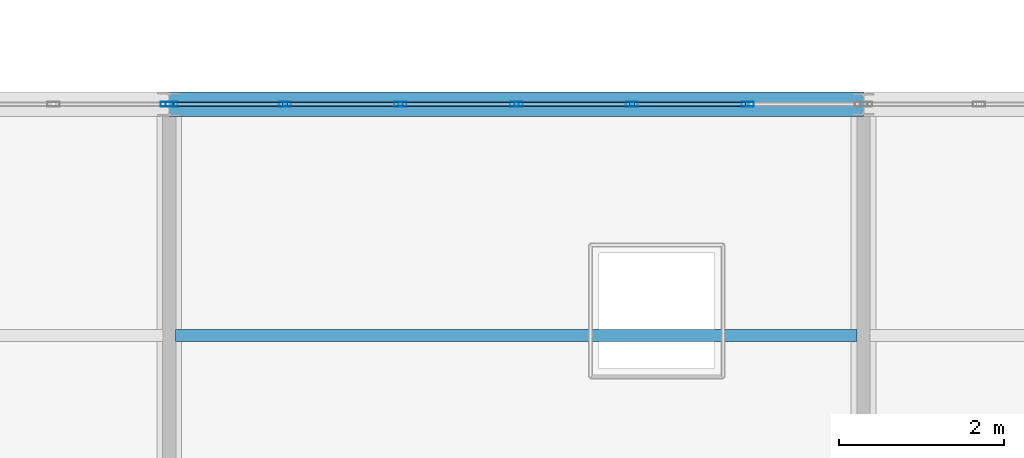
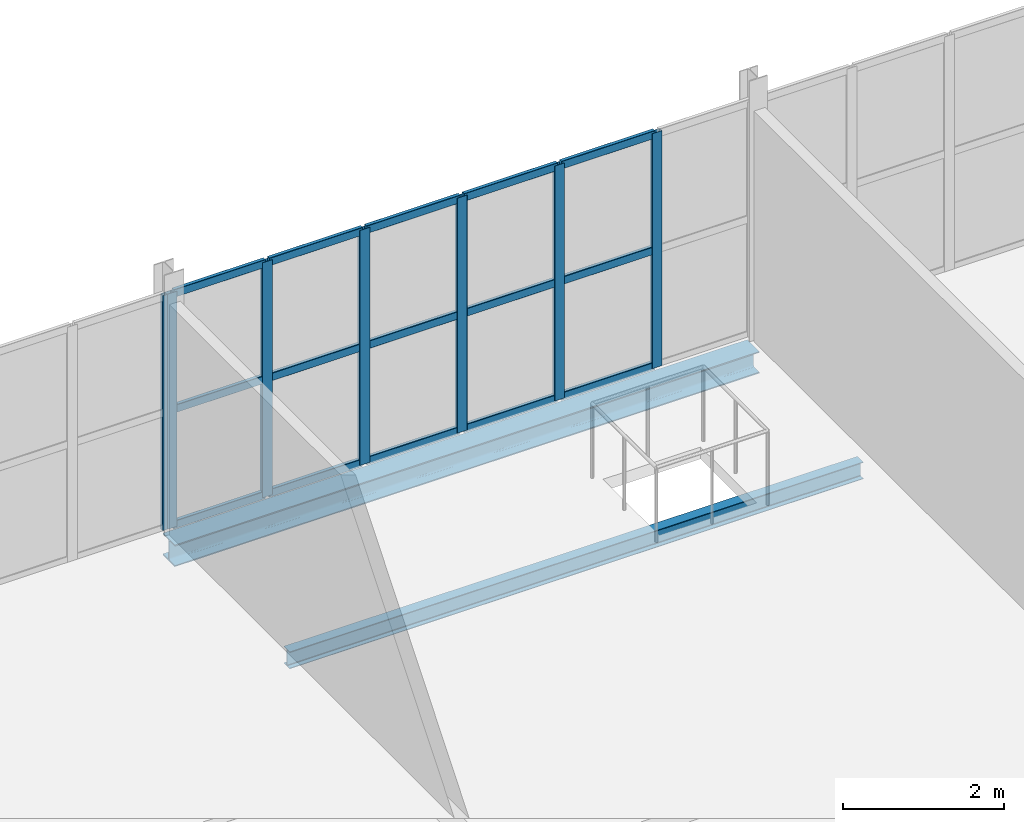
# One storey, part 82 of 163: 22 members, 2 beams, 2 elements without a shape of their own.
"""IFC4 building model written with IfcOpenShell, lengths in metres."""

from ifc_helpers import new_model, si_unit, direction, frame, origin, origin_2d, place, context, subcontext, project, spatial, hollow_rectangle, i_section, extrude, material, layer, layer_set, material_profile, profile_set, type_object, element, aggregate, save


model = new_model("IFC4")

# Units and contexts
model_context = context("Model", 3, precision=1e-05, world=origin(), true_north=direction((0.0, 1.0)))
body_context = subcontext(model_context, "Body", "Model", "MODEL_VIEW")
ifc_project = project(units=[si_unit("LENGTHUNIT", "METRE"), si_unit("AREAUNIT", "SQUARE_METRE"), si_unit("VOLUMEUNIT", "CUBIC_METRE"), si_unit("PLANEANGLEUNIT", "RADIAN"), si_unit("MASSUNIT", "GRAM", prefix="KILO")], contexts=[model_context])

# Site, building, storey
site_placement = place(None, origin())
site = spatial("IfcSite", under=ifc_project, at=site_placement, CompositionType="ELEMENT")
building_placement = place(site_placement, origin())
building = spatial("IfcBuilding", under=site, at=building_placement, Name="Qalvenar Corner Mobility Hub", CompositionType="ELEMENT")
storey_placement = place(building_placement, frame((0.0, 0.0, 4.800048828125)))
storey = spatial("IfcBuildingStorey", under=building, at=storey_placement, Name="L01", CompositionType="ELEMENT", Elevation=4.800048828125)

# Beams
ifc_material_1 = material(Name="Steel S355", Category="steel")
ifc_material_profile_1 = material_profile(ifc_material_1, i_section(OverallWidth=0.14599609375, OverallDepth=0.258056640625, WebThickness=0.006103515625, FlangeThickness=0.009033203125, FilletRadius=0.011962890625, at=origin_2d()), Name="W250x32.7")
ifc_profile_set_1 = profile_set([ifc_material_profile_1], Name="Steel S355")
beam_type_1 = type_object("IfcBeamType", Name="BM-JST250", PredefinedType="JOIST", material=ifc_profile_set_1)
beam_1_placement = place(storey_placement, frame((8.47802734375, 89.60009765625, -0.30908203125), z_axis=(1.0, 0.0, 0.0), x_axis=(0.0, 1.0, 0.0)))
element("IfcBeam", 1, at=beam_1_placement, inside=storey, type_object=beam_type_1, Name="Composite Floor Joist J-1231", PredefinedType="JOIST", context=body_context, shape_type="SweptSolid", body=[
    extrude(i_section(OverallWidth=0.14599609375, OverallDepth=0.258056640625, WebThickness=0.006103515625, FlangeThickness=0.009033203125, FilletRadius=0.011962890625, at=origin_2d()), origin(), (0.0, 0.0, 1.0), 8.243896484375),
])
ifc_material_profile_2 = material_profile(ifc_material_1, i_section(OverallWidth=0.300048828125, OverallDepth=0.330078125, WebThickness=0.009521484375, FlangeThickness=0.0166015625, FilletRadius=0.027099609375, at=origin_2d()), Name="HEA340")
ifc_profile_set_2 = profile_set([ifc_material_profile_2], Name="Steel S355")
beam_type_2 = type_object("IfcBeamType", Name="BM-SPN340", PredefinedType="SPANDREL", material=ifc_profile_set_2)
beam_2_placement = place(storey_placement, frame((8.39990234375, 92.39990234375, -0.344970703125), z_axis=(1.0, 0.0, 0.0), x_axis=(0.0, 1.0, 0.0)))
element("IfcBeam", 2, at=beam_2_placement, inside=storey, type_object=beam_type_2, Name="Primary Steel Girder GX-1177", PredefinedType="SPANDREL", context=body_context, shape_type="SweptSolid", body=[
    extrude(i_section(OverallWidth=0.300048828125, OverallDepth=0.330078125, WebThickness=0.009521484375, FlangeThickness=0.0166015625, FilletRadius=0.027099609375, at=origin_2d()), origin(), (0.0, 0.0, 1.0), 8.400146484375),
])

# Curtain wall, member
ifc_material_2 = material(Name="Anodised Aluminium and Low-E Glazing", Category="aluminium")
ifc_layer = layer(ifc_material_2, 0.14990234375)
ifc_layer_set = layer_set([ifc_layer], Name="Anodised Aluminium and Low-E Glazing")
curtain_wall_type = type_object("IfcCurtainWallType", Name="CW-CYC-84X39", PredefinedType="NOTDEFINED", material=ifc_layer_set)
curtain_wall_1_placement = place(storey_placement, origin())
curtain_wall_1 = element("IfcCurtainWall", 3, at=curtain_wall_1_placement, inside=storey, type_object=curtain_wall_type, Name="Glazed Curtain Wall CW-V5-L01-N0", PredefinedType="NOTDEFINED")
ifc_material_3 = material(Name="Anodised Aluminium 6063-T6", Category="aluminium")
ifc_material_profile_3 = material_profile(ifc_material_3, hollow_rectangle(XDim=0.06005859375, YDim=0.14990234375, WallThickness=0.00390625, InnerFilletRadius=0.00390625, OuterFilletRadius=0.008056640625, at=origin_2d()), Name="RHS150x60x4")
ifc_profile_set_3 = profile_set([ifc_material_profile_3], Name="Anodised Aluminium 6063-T6")
member_type_1 = type_object("IfcMemberType", Name="CW-MUL150", PredefinedType="MULLION", material=ifc_profile_set_3)
member_1_placement = place(storey_placement, frame((8.3701171875, 92.39990234375, 0.0), z_axis=(0.0, 0.0, 1.0), x_axis=(0.0, -1.0, 0.0)))
member_1 = element("IfcMember", 4, at=member_1_placement, type_object=member_type_1, Name="CW-08 mullion 1", PredefinedType="MULLION", context=body_context, shape_type="SweptSolid", body=[
    extrude(hollow_rectangle(XDim=0.06005859375, YDim=0.14990234375, WallThickness=0.00390625, InnerFilletRadius=0.00390625, OuterFilletRadius=0.008056640625, at=origin_2d()), origin(), (0.0, 0.0, 1.0), 3.570068359375),
])
aggregate(curtain_wall_1, [member_1])

# Curtain wall, members
curtain_wall_2_placement = place(storey_placement, origin())
curtain_wall_2 = element("IfcCurtainWall", 5, at=curtain_wall_2_placement, inside=storey, type_object=curtain_wall_type, Name="Glazed Curtain Wall CW-V5-L01-N1", PredefinedType="NOTDEFINED")
member_2_placement = place(storey_placement, frame((15.39990234375, 92.39990234375, 0.0), z_axis=(0.0, 0.0, 1.0), x_axis=(0.0, -1.0, 0.0)))
member_2 = element("IfcMember", 6, at=member_2_placement, type_object=member_type_1, Name="CW-08 mullion 2", PredefinedType="MULLION", context=body_context, shape_type="SweptSolid", body=[
    extrude(hollow_rectangle(XDim=0.06005859375, YDim=0.14990234375, WallThickness=0.00390625, InnerFilletRadius=0.00390625, OuterFilletRadius=0.008056640625, at=origin_2d()), origin(), (0.0, 0.0, 1.0), 3.570068359375),
])
member_3_placement = place(storey_placement, frame((14.0, 92.39990234375, 0.0), z_axis=(0.0, 0.0, 1.0), x_axis=(0.0, -1.0, 0.0)))
member_3 = element("IfcMember", 7, at=member_3_placement, type_object=member_type_1, Name="CW-08 mullion 3", PredefinedType="MULLION", context=body_context, shape_type="SweptSolid", body=[
    extrude(hollow_rectangle(XDim=0.06005859375, YDim=0.14990234375, WallThickness=0.00390625, InnerFilletRadius=0.00390625, OuterFilletRadius=0.008056640625, at=origin_2d()), origin(), (0.0, 0.0, 1.0), 3.570068359375),
])
member_4_placement = place(storey_placement, frame((12.60009765625, 92.39990234375, 0.0), z_axis=(0.0, 0.0, 1.0), x_axis=(0.0, -1.0, 0.0)))
member_4 = element("IfcMember", 8, at=member_4_placement, type_object=member_type_1, Name="CW-08 mullion 4", PredefinedType="MULLION", context=body_context, shape_type="SweptSolid", body=[
    extrude(hollow_rectangle(XDim=0.06005859375, YDim=0.14990234375, WallThickness=0.00390625, InnerFilletRadius=0.00390625, OuterFilletRadius=0.008056640625, at=origin_2d()), origin(), (0.0, 0.0, 1.0), 3.570068359375),
])
member_5_placement = place(storey_placement, frame((11.199951171875, 92.39990234375, 0.0), z_axis=(0.0, 0.0, 1.0), x_axis=(0.0, -1.0, 0.0)))
member_5 = element("IfcMember", 9, at=member_5_placement, type_object=member_type_1, Name="CW-08 mullion 5", PredefinedType="MULLION", context=body_context, shape_type="SweptSolid", body=[
    extrude(hollow_rectangle(XDim=0.06005859375, YDim=0.14990234375, WallThickness=0.00390625, InnerFilletRadius=0.00390625, OuterFilletRadius=0.008056640625, at=origin_2d()), origin(), (0.0, 0.0, 1.0), 3.570068359375),
])
member_6_placement = place(storey_placement, frame((9.800048828125, 92.39990234375, 0.0), z_axis=(0.0, 0.0, 1.0), x_axis=(0.0, -1.0, 0.0)))
member_6 = element("IfcMember", 10, at=member_6_placement, type_object=member_type_1, Name="CW-08 mullion 6", PredefinedType="MULLION", context=body_context, shape_type="SweptSolid", body=[
    extrude(hollow_rectangle(XDim=0.06005859375, YDim=0.14990234375, WallThickness=0.00390625, InnerFilletRadius=0.00390625, OuterFilletRadius=0.008056640625, at=origin_2d()), origin(), (0.0, 0.0, 1.0), 3.570068359375),
])
member_7_placement = place(storey_placement, frame((8.429931640625, 92.39990234375, 0.0), z_axis=(0.0, 0.0, 1.0), x_axis=(0.0, -1.0, 0.0)))
member_7 = element("IfcMember", 11, at=member_7_placement, type_object=member_type_1, Name="CW-08 mullion 7", PredefinedType="MULLION", context=body_context, shape_type="SweptSolid", body=[
    extrude(hollow_rectangle(XDim=0.06005859375, YDim=0.14990234375, WallThickness=0.00390625, InnerFilletRadius=0.00390625, OuterFilletRadius=0.008056640625, at=origin_2d()), origin(), (0.0, 0.0, 1.0), 3.570068359375),
])
ifc_material_profile_4 = material_profile(ifc_material_3, hollow_rectangle(XDim=0.054931640625, YDim=0.1201171875, WallThickness=0.00341796875, InnerFilletRadius=0.00341796875, OuterFilletRadius=0.007080078125, at=origin_2d()), Name="RHS120x55x3.5")
ifc_profile_set_4 = profile_set([ifc_material_profile_4], Name="Anodised Aluminium 6063-T6")
member_type_2 = type_object("IfcMemberType", Name="CW-TRN120", PredefinedType="USERDEFINED", material=ifc_profile_set_4)
member_8_placement = place(storey_placement, frame((15.3701171875, 92.39990234375, 0.02734375), z_axis=(-1.0, 0.0, 0.0), x_axis=(0.0, -1.0, 0.0)))
member_8 = element("IfcMember", 12, at=member_8_placement, type_object=member_type_2, Name="CW-08 transom 2.1", ObjectType="TRANSOM", PredefinedType="USERDEFINED", context=body_context, shape_type="SweptSolid", body=[
    extrude(hollow_rectangle(XDim=0.054931640625, YDim=0.1201171875, WallThickness=0.00341796875, InnerFilletRadius=0.00341796875, OuterFilletRadius=0.007080078125, at=origin_2d()), origin(), (0.0, 0.0, 1.0), 1.340087890625),
])
member_9_placement = place(storey_placement, frame((15.3701171875, 92.39990234375, 1.784912109375), z_axis=(-1.0, 0.0, 0.0), x_axis=(0.0, -1.0, 0.0)))
member_9 = element("IfcMember", 13, at=member_9_placement, type_object=member_type_2, Name="CW-08 transom 2.2", ObjectType="TRANSOM", PredefinedType="USERDEFINED", context=body_context, shape_type="SweptSolid", body=[
    extrude(hollow_rectangle(XDim=0.054931640625, YDim=0.1201171875, WallThickness=0.00341796875, InnerFilletRadius=0.00341796875, OuterFilletRadius=0.007080078125, at=origin_2d()), origin(), (0.0, 0.0, 1.0), 1.340087890625),
])
member_10_placement = place(storey_placement, frame((15.3701171875, 92.39990234375, 3.54248046875), z_axis=(-1.0, 0.0, 0.0), x_axis=(0.0, -1.0, 0.0)))
member_10 = element("IfcMember", 14, at=member_10_placement, type_object=member_type_2, Name="CW-08 transom 2.3", ObjectType="TRANSOM", PredefinedType="USERDEFINED", context=body_context, shape_type="SweptSolid", body=[
    extrude(hollow_rectangle(XDim=0.054931640625, YDim=0.1201171875, WallThickness=0.00341796875, InnerFilletRadius=0.00341796875, OuterFilletRadius=0.007080078125, at=origin_2d()), origin(), (0.0, 0.0, 1.0), 1.340087890625),
])
member_11_placement = place(storey_placement, frame((13.969970703125, 92.39990234375, 0.02734375), z_axis=(-1.0, 0.0, 0.0), x_axis=(0.0, -1.0, 0.0)))
member_11 = element("IfcMember", 15, at=member_11_placement, type_object=member_type_2, Name="CW-08 transom 3.1", ObjectType="TRANSOM", PredefinedType="USERDEFINED", context=body_context, shape_type="SweptSolid", body=[
    extrude(hollow_rectangle(XDim=0.054931640625, YDim=0.1201171875, WallThickness=0.00341796875, InnerFilletRadius=0.00341796875, OuterFilletRadius=0.007080078125, at=origin_2d()), origin(), (0.0, 0.0, 1.0), 1.340087890625),
])
member_12_placement = place(storey_placement, frame((13.969970703125, 92.39990234375, 1.784912109375), z_axis=(-1.0, 0.0, 0.0), x_axis=(0.0, -1.0, 0.0)))
member_12 = element("IfcMember", 16, at=member_12_placement, type_object=member_type_2, Name="CW-08 transom 3.2", ObjectType="TRANSOM", PredefinedType="USERDEFINED", context=body_context, shape_type="SweptSolid", body=[
    extrude(hollow_rectangle(XDim=0.054931640625, YDim=0.1201171875, WallThickness=0.00341796875, InnerFilletRadius=0.00341796875, OuterFilletRadius=0.007080078125, at=origin_2d()), origin(), (0.0, 0.0, 1.0), 1.340087890625),
])
member_13_placement = place(storey_placement, frame((13.969970703125, 92.39990234375, 3.54248046875), z_axis=(-1.0, 0.0, 0.0), x_axis=(0.0, -1.0, 0.0)))
member_13 = element("IfcMember", 17, at=member_13_placement, type_object=member_type_2, Name="CW-08 transom 3.3", ObjectType="TRANSOM", PredefinedType="USERDEFINED", context=body_context, shape_type="SweptSolid", body=[
    extrude(hollow_rectangle(XDim=0.054931640625, YDim=0.1201171875, WallThickness=0.00341796875, InnerFilletRadius=0.00341796875, OuterFilletRadius=0.007080078125, at=origin_2d()), origin(), (0.0, 0.0, 1.0), 1.340087890625),
])
member_14_placement = place(storey_placement, frame((12.570068359375, 92.39990234375, 0.02734375), z_axis=(-1.0, 0.0, 0.0), x_axis=(0.0, -1.0, 0.0)))
member_14 = element("IfcMember", 18, at=member_14_placement, type_object=member_type_2, Name="CW-08 transom 4.1", ObjectType="TRANSOM", PredefinedType="USERDEFINED", context=body_context, shape_type="SweptSolid", body=[
    extrude(hollow_rectangle(XDim=0.054931640625, YDim=0.1201171875, WallThickness=0.00341796875, InnerFilletRadius=0.00341796875, OuterFilletRadius=0.007080078125, at=origin_2d()), origin(), (0.0, 0.0, 1.0), 1.340087890625),
])
member_15_placement = place(storey_placement, frame((12.570068359375, 92.39990234375, 1.784912109375), z_axis=(-1.0, 0.0, 0.0), x_axis=(0.0, -1.0, 0.0)))
member_15 = element("IfcMember", 19, at=member_15_placement, type_object=member_type_2, Name="CW-08 transom 4.2", ObjectType="TRANSOM", PredefinedType="USERDEFINED", context=body_context, shape_type="SweptSolid", body=[
    extrude(hollow_rectangle(XDim=0.054931640625, YDim=0.1201171875, WallThickness=0.00341796875, InnerFilletRadius=0.00341796875, OuterFilletRadius=0.007080078125, at=origin_2d()), origin(), (0.0, 0.0, 1.0), 1.340087890625),
])
member_16_placement = place(storey_placement, frame((12.570068359375, 92.39990234375, 3.54248046875), z_axis=(-1.0, 0.0, 0.0), x_axis=(0.0, -1.0, 0.0)))
member_16 = element("IfcMember", 20, at=member_16_placement, type_object=member_type_2, Name="CW-08 transom 4.3", ObjectType="TRANSOM", PredefinedType="USERDEFINED", context=body_context, shape_type="SweptSolid", body=[
    extrude(hollow_rectangle(XDim=0.054931640625, YDim=0.1201171875, WallThickness=0.00341796875, InnerFilletRadius=0.00341796875, OuterFilletRadius=0.007080078125, at=origin_2d()), origin(), (0.0, 0.0, 1.0), 1.340087890625),
])
member_17_placement = place(storey_placement, frame((11.169921875, 92.39990234375, 0.02734375), z_axis=(-1.0, 0.0, 0.0), x_axis=(0.0, -1.0, 0.0)))
member_17 = element("IfcMember", 21, at=member_17_placement, type_object=member_type_2, Name="CW-08 transom 5.1", ObjectType="TRANSOM", PredefinedType="USERDEFINED", context=body_context, shape_type="SweptSolid", body=[
    extrude(hollow_rectangle(XDim=0.054931640625, YDim=0.1201171875, WallThickness=0.00341796875, InnerFilletRadius=0.00341796875, OuterFilletRadius=0.007080078125, at=origin_2d()), origin(), (0.0, 0.0, 1.0), 1.33984375),
])
member_18_placement = place(storey_placement, frame((11.169921875, 92.39990234375, 1.784912109375), z_axis=(-1.0, 0.0, 0.0), x_axis=(0.0, -1.0, 0.0)))
member_18 = element("IfcMember", 22, at=member_18_placement, type_object=member_type_2, Name="CW-08 transom 5.2", ObjectType="TRANSOM", PredefinedType="USERDEFINED", context=body_context, shape_type="SweptSolid", body=[
    extrude(hollow_rectangle(XDim=0.054931640625, YDim=0.1201171875, WallThickness=0.00341796875, InnerFilletRadius=0.00341796875, OuterFilletRadius=0.007080078125, at=origin_2d()), origin(), (0.0, 0.0, 1.0), 1.33984375),
])
member_19_placement = place(storey_placement, frame((11.169921875, 92.39990234375, 3.54248046875), z_axis=(-1.0, 0.0, 0.0), x_axis=(0.0, -1.0, 0.0)))
member_19 = element("IfcMember", 23, at=member_19_placement, type_object=member_type_2, Name="CW-08 transom 5.3", ObjectType="TRANSOM", PredefinedType="USERDEFINED", context=body_context, shape_type="SweptSolid", body=[
    extrude(hollow_rectangle(XDim=0.054931640625, YDim=0.1201171875, WallThickness=0.00341796875, InnerFilletRadius=0.00341796875, OuterFilletRadius=0.007080078125, at=origin_2d()), origin(), (0.0, 0.0, 1.0), 1.33984375),
])
member_20_placement = place(storey_placement, frame((9.77001953125, 92.39990234375, 0.02734375), z_axis=(-1.0, 0.0, 0.0), x_axis=(0.0, -1.0, 0.0)))
member_20 = element("IfcMember", 24, at=member_20_placement, type_object=member_type_2, Name="CW-08 transom 6.1", ObjectType="TRANSOM", PredefinedType="USERDEFINED", context=body_context, shape_type="SweptSolid", body=[
    extrude(hollow_rectangle(XDim=0.054931640625, YDim=0.1201171875, WallThickness=0.00341796875, InnerFilletRadius=0.00341796875, OuterFilletRadius=0.007080078125, at=origin_2d()), origin(), (0.0, 0.0, 1.0), 1.31005859375),
])
member_21_placement = place(storey_placement, frame((9.77001953125, 92.39990234375, 1.784912109375), z_axis=(-1.0, 0.0, 0.0), x_axis=(0.0, -1.0, 0.0)))
member_21 = element("IfcMember", 25, at=member_21_placement, type_object=member_type_2, Name="CW-08 transom 6.2", ObjectType="TRANSOM", PredefinedType="USERDEFINED", context=body_context, shape_type="SweptSolid", body=[
    extrude(hollow_rectangle(XDim=0.054931640625, YDim=0.1201171875, WallThickness=0.00341796875, InnerFilletRadius=0.00341796875, OuterFilletRadius=0.007080078125, at=origin_2d()), origin(), (0.0, 0.0, 1.0), 1.31005859375),
])
member_22_placement = place(storey_placement, frame((9.77001953125, 92.39990234375, 3.54248046875), z_axis=(-1.0, 0.0, 0.0), x_axis=(0.0, -1.0, 0.0)))
member_22 = element("IfcMember", 26, at=member_22_placement, type_object=member_type_2, Name="CW-08 transom 6.3", ObjectType="TRANSOM", PredefinedType="USERDEFINED", context=body_context, shape_type="SweptSolid", body=[
    extrude(hollow_rectangle(XDim=0.054931640625, YDim=0.1201171875, WallThickness=0.00341796875, InnerFilletRadius=0.00341796875, OuterFilletRadius=0.007080078125, at=origin_2d()), origin(), (0.0, 0.0, 1.0), 1.31005859375),
])
aggregate(curtain_wall_2, [member_2, member_3, member_4, member_5, member_6, member_7, member_8, member_9, member_10, member_11, member_12, member_13, member_14, member_15, member_16, member_17, member_18, member_19, member_20, member_21, member_22])

save(model, "model.ifc")
